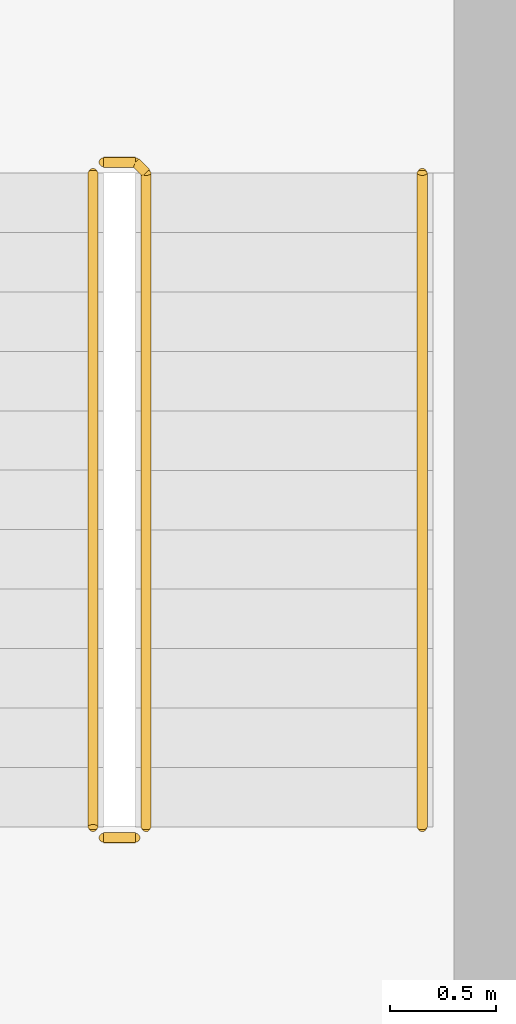
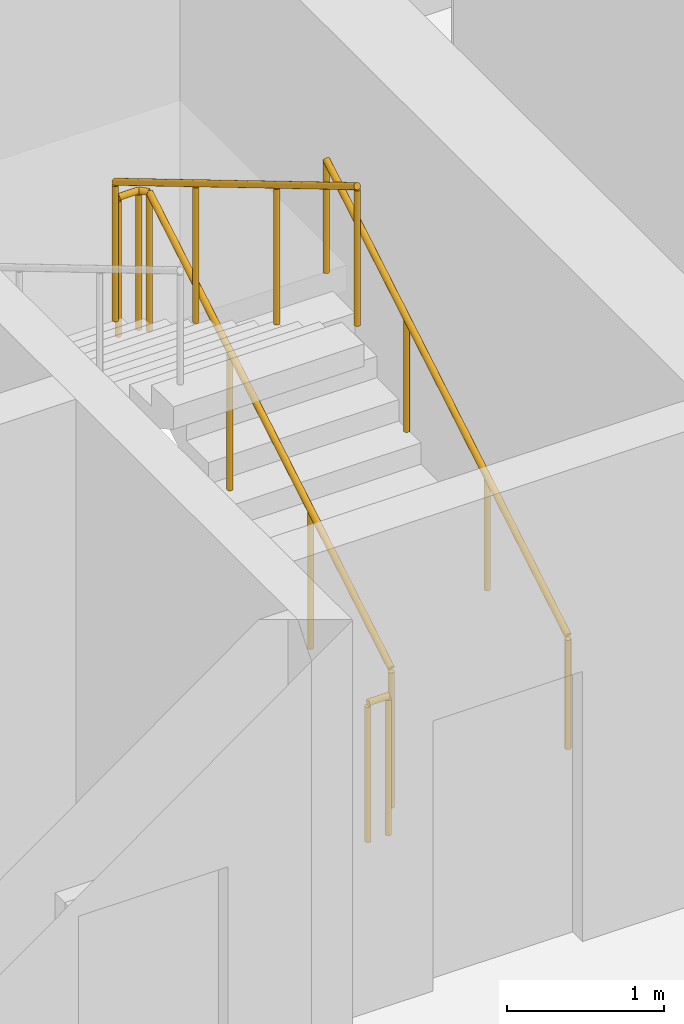
# One storey, part 14 of 14: 4 railings.
"""IFC4 building model written with IfcOpenShell, lengths in metres."""

from ifc_helpers import new_model, si_unit, direction, frame, origin, origin_2d, place, context, subcontext, project, spatial, circle, extrude, material, type_object, element, save


model = new_model("IFC4")

# Units and contexts
model_context = context("Model", 3, precision=1e-05, world=origin(), true_north=direction((0.0, 1.0)))
body_context = subcontext(model_context, "Body", "Model", "MODEL_VIEW")
ifc_project = project(units=[si_unit("LENGTHUNIT", "METRE"), si_unit("AREAUNIT", "SQUARE_METRE"), si_unit("VOLUMEUNIT", "CUBIC_METRE"), si_unit("PLANEANGLEUNIT", "RADIAN"), si_unit("MASSUNIT", "GRAM", prefix="KILO")], contexts=[model_context])

# Site, building, storey
site_placement = place(None, origin())
site = spatial("IfcSite", under=ifc_project, at=site_placement, CompositionType="ELEMENT")
building_placement = place(site_placement, origin())
building = spatial("IfcBuilding", under=site, at=building_placement, Name="Mopane Tessera Tower", CompositionType="ELEMENT")
storey_placement = place(building_placement, frame((0.0, 0.0, 231.0)))
storey = spatial("IfcBuildingStorey", under=building, at=storey_placement, Name="L49", CompositionType="ELEMENT", Elevation=231.0)

# Railings
ifc_material_1 = material(Name="Powder-coated steel balustrade", Category="steel")
railing_type_1 = type_object("IfcRailingType", Name="Escape stair guard 1100 mm", PredefinedType="GUARDRAIL", material=ifc_material_1)
railing_1_placement = place(storey_placement, frame((12.35009765625, 7.699951171875, 0.166748046875)))
element("IfcRailing", 1, at=railing_1_placement, inside=storey, type_object=railing_type_1, Name="L49 ST4 stair guard 1", PredefinedType="GUARDRAIL", context=body_context, shape_type="SweptSolid", body=[
    extrude(circle(Radius=0.02392578125, at=origin_2d()), frame((0.0, 0.0, 1.076171875), z_axis=(0.0, 0.859308565015, 0.511457515432), x_axis=(-1.0, 0.0, 0.0)), (0.0, 0.0, 1.0), 3.58447265625),
    extrude(circle(Radius=0.02392578125, at=origin_2d()), frame((0.0, 3.080078125, 2.9091796875), z_axis=(-0.707106781187, 0.707106781187, 0.0), x_axis=(-0.707106781187, -0.707106781187, 0.0)), (0.0, 0.0, 1.0), 0.07080078125),
    extrude(circle(Radius=0.02392578125, at=origin_2d()), frame((-0.050048828125, 3.130126953125, 2.9091796875), z_axis=(-1.0, 0.0, 0.0), x_axis=(0.0, -1.0, 0.0)), (0.0, 0.0, 1.0), 0.150146484375),
    extrude(circle(Radius=0.02099609375, at=origin_2d()), origin(), (0.0, 0.0, 1.0), 1.052001953125),
    extrude(circle(Radius=0.02099609375, at=origin_2d()), frame((0.0, 1.026611328125, 0.611083984375)), (0.0, 0.0, 1.0), 1.052001953125),
    extrude(circle(Radius=0.02099609375, at=origin_2d()), frame((0.0, 2.053466796875, 1.22216796875)), (0.0, 0.0, 1.0), 1.052001953125),
    extrude(circle(Radius=0.02099609375, at=origin_2d()), frame((0.0, 3.080078125, 1.833251953125)), (0.0, 0.0, 1.0), 1.052001953125),
    extrude(circle(Radius=0.02099609375, at=origin_2d()), frame((-0.050048828125, 3.130126953125, 1.833251953125)), (0.0, 0.0, 1.0), 1.052001953125),
    extrude(circle(Radius=0.02099609375, at=origin_2d()), frame((-0.2001953125, 3.130126953125, 1.833251953125)), (0.0, 0.0, 1.0), 1.052001953125),
])
railing_2_placement = place(storey_placement, frame((12.10009765625, 10.780029296875, 2.166748046875)))
element("IfcRailing", 2, at=railing_2_placement, inside=storey, type_object=railing_type_1, Name="L49 ST4 stair guard 2", PredefinedType="GUARDRAIL", context=body_context, shape_type="SweptSolid", body=[
    extrude(circle(Radius=0.02392578125, at=origin_2d()), frame((0.0, 0.0, 1.076171875), z_axis=(0.0, -0.859308565015, 0.511457515432), x_axis=(1.0, 0.0, 0.0)), (0.0, 0.0, 1.0), 3.58447265625),
    extrude(circle(Radius=0.02099609375, at=origin_2d()), origin(), (0.0, 0.0, 1.0), 1.052001953125),
    extrude(circle(Radius=0.02099609375, at=origin_2d()), frame((0.0, -1.026611328125, 0.611083984375)), (0.0, 0.0, 1.0), 1.052001953125),
    extrude(circle(Radius=0.02099609375, at=origin_2d()), frame((0.0, -2.053466796875, 1.22216796875)), (0.0, 0.0, 1.0), 1.052001953125),
    extrude(circle(Radius=0.02099609375, at=origin_2d()), frame((0.0, -3.080078125, 1.833251953125)), (0.0, 0.0, 1.0), 1.052001953125),
])
railing_3_placement = place(storey_placement, frame((12.300048828125, 7.64990234375, 0.0)))
element("IfcRailing", 3, at=railing_3_placement, inside=storey, type_object=railing_type_1, Name="L49 ST4 stair guard 3", PredefinedType="GUARDRAIL", context=body_context, shape_type="SweptSolid", body=[
    extrude(circle(Radius=0.02392578125, at=origin_2d()), frame((0.0, 0.0, 1.076171875), z_axis=(-1.0, 0.0, 0.0), x_axis=(0.0, -1.0, 0.0)), (0.0, 0.0, 1.0), 0.150146484375),
    extrude(circle(Radius=0.02099609375, at=origin_2d()), origin(), (0.0, 0.0, 1.0), 1.052001953125),
    extrude(circle(Radius=0.02099609375, at=origin_2d()), frame((-0.150146484375, 0.0, 0.0)), (0.0, 0.0, 1.0), 1.052001953125),
])
ifc_material_2 = material(Name="Powder-coated steel balustrade", Category="steel")
railing_type_2 = type_object("IfcRailingType", Name="Escape stair handrail 900 mm", PredefinedType="HANDRAIL", material=ifc_material_2)
railing_4_placement = place(storey_placement, frame((13.64990234375, 7.699951171875, 0.166748046875)))
element("IfcRailing", 4, at=railing_4_placement, inside=storey, type_object=railing_type_2, Name="L49 ST4 stair handrail 1", PredefinedType="HANDRAIL", context=body_context, shape_type="SweptSolid", body=[
    extrude(circle(Radius=0.02392578125, at=origin_2d()), frame((0.0, 0.0, 0.8759765625), z_axis=(0.0, 0.859308565015, 0.511457515432), x_axis=(-1.0, 0.0, 0.0)), (0.0, 0.0, 1.0), 3.58447265625),
    extrude(circle(Radius=0.02099609375, at=origin_2d()), origin(), (0.0, 0.0, 1.0), 0.851806640625),
    extrude(circle(Radius=0.02099609375, at=origin_2d()), frame((0.0, 1.026611328125, 0.611083984375)), (0.0, 0.0, 1.0), 0.851806640625),
    extrude(circle(Radius=0.02099609375, at=origin_2d()), frame((0.0, 2.053466796875, 1.22216796875)), (0.0, 0.0, 1.0), 0.851806640625),
    extrude(circle(Radius=0.02099609375, at=origin_2d()), frame((0.0, 3.080078125, 1.833251953125)), (0.0, 0.0, 1.0), 0.851806640625),
])

save(model, "model.ifc")
